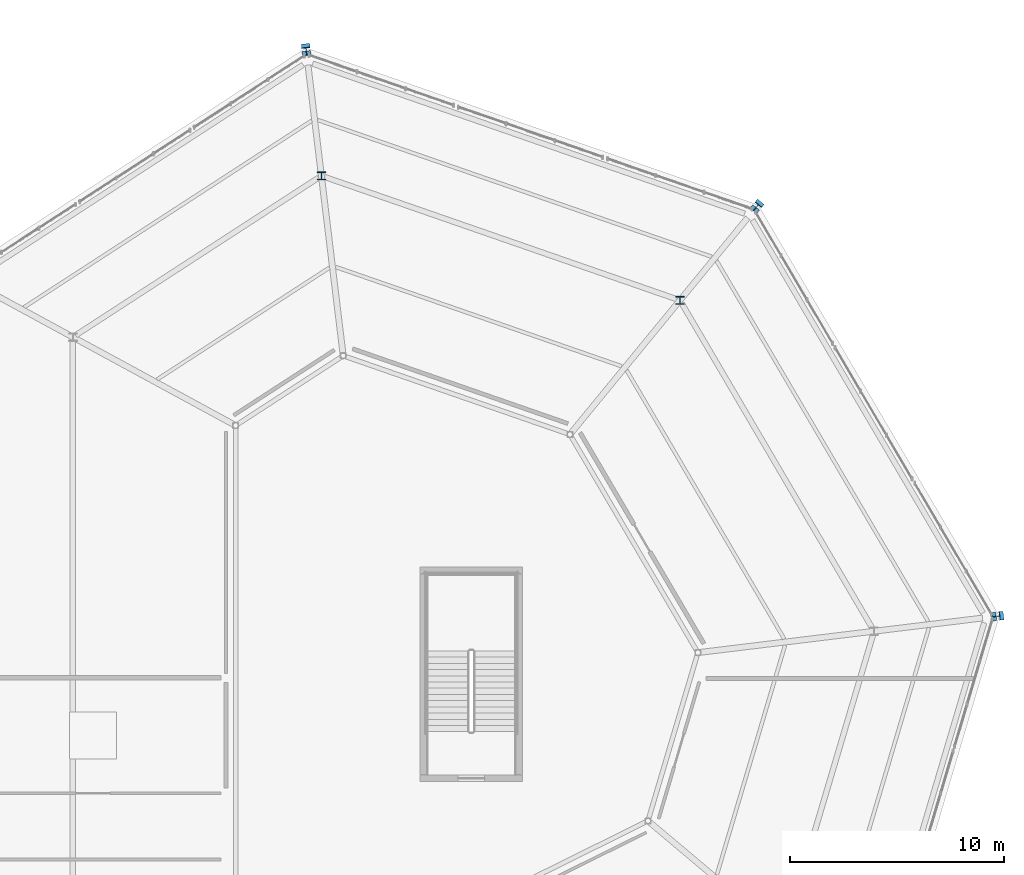
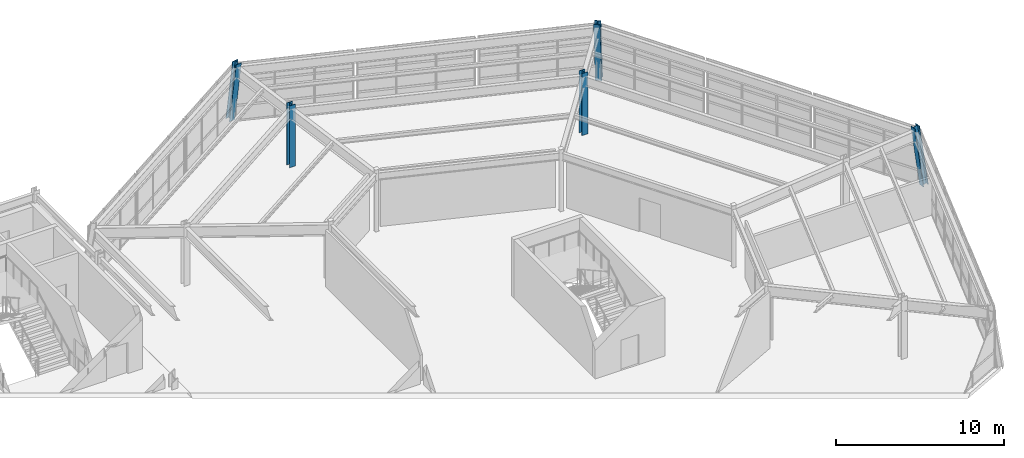
# One storey, part 15 of 88: 5 columns.
"""IFC4 building model written with IfcOpenShell, lengths in metres."""

import ifcopenshell
import ifcopenshell.guid

model = None  # the IFC model being written
_history = None  # IfcOwnerHistory: only IFC2X3 demands one
_inside = {}  # id of a spatial element -> (the spatial element, [elements in it])
_under = {}  # id of a project, library or spatial element -> (it, [spatial elements below it])
_declared = {}  # id of a project -> (the project, [libraries it declares])
_typed = {}  # id of a type object -> (the type object, [elements of that type])
_made_of = {}  # id of a material, layer set ... -> (it, [elements and type objects made of it])


def new_model(schema):
    """Start an empty IFC model of exactly this schema.

    Asked for "IFC4X3", IfcOpenShell would pick the latest addendum, in which some entities
    have other attributes; the version numbers below select the first issue.
    IFC2X3 requires an IfcOwnerHistory on every rooted entity: one is made here for all.
    """
    global model, _history
    if schema == "IFC4X3":
        model = ifcopenshell.file(schema_version=(4, 3, 0, 0))
    else:
        model = ifcopenshell.file(schema=schema)
    _inside.clear()
    _under.clear()
    _declared.clear()
    _typed.clear()
    _made_of.clear()
    _history = None
    if model.schema == "IFC2X3":
        org = make("IfcOrganization", Name="unknown")
        user = make(
            "IfcPersonAndOrganization",
            ThePerson=make("IfcPerson", FamilyName="unknown"),
            TheOrganization=org,
        )
        app = make(
            "IfcApplication",
            ApplicationDeveloper=org,
            Version="unknown",
            ApplicationFullName="unknown",
            ApplicationIdentifier="unknown",
        )
        _history = make(
            "IfcOwnerHistory",
            OwningUser=user,
            OwningApplication=app,
            ChangeAction="ADDED",
            CreationDate=0,
        )
    return model


def make(cls, **values):
    """One entity of the class cls with the attributes given. An attribute that is None is left unset."""
    return model.create_entity(
        cls, **{name: value for name, value in values.items() if value is not None}
    )


def rooted(cls, **values):
    """An entity with a GlobalId (a new one), such as an element, a storey or a relation."""
    return make(cls, GlobalId=ifcopenshell.guid.new(), OwnerHistory=_history, **values)


def si_unit(unit_type, name, prefix=None):
    """IfcSIUnit, for example si_unit("LENGTHUNIT", "METRE", prefix="MILLI")."""
    return make("IfcSIUnit", UnitType=unit_type, Prefix=prefix, Name=name)


def assignment(units):
    """IfcUnitAssignment: the units of a project."""
    return None if units is None else make("IfcUnitAssignment", Units=units)


def point(xyz):
    """IfcCartesianPoint."""
    return None if xyz is None else make("IfcCartesianPoint", Coordinates=xyz)


def direction(xyz):
    """IfcDirection."""
    return None if xyz is None else make("IfcDirection", DirectionRatios=xyz)


def frame(location, z_axis=None, x_axis=None):
    """IfcAxis2Placement3D, a coordinate frame: its origin and axes. An axis left out is left unset."""
    return make(
        "IfcAxis2Placement3D",
        Location=point(location),
        Axis=direction(z_axis),
        RefDirection=direction(x_axis),
    )


def frame_2d(location, x_axis=None):
    """IfcAxis2Placement2D, a coordinate frame in the plane: its origin and x axis."""
    return make(
        "IfcAxis2Placement2D", Location=point(location), RefDirection=direction(x_axis)
    )


def origin():
    """The frame at (0, 0, 0) with its axes left unset."""
    return frame((0.0, 0.0, 0.0))


def origin_2d():
    """The frame at (0, 0) in the plane with its x axis left unset."""
    return frame_2d((0.0, 0.0))


def place(relative_to, where):
    """IfcLocalPlacement: puts the frame where relative to a parent placement (None: the world)."""
    return make(
        "IfcLocalPlacement", PlacementRelTo=relative_to, RelativePlacement=where
    )


def context(
    kind, dimensions, precision=None, world=None, true_north=None, identifier=None
):
    """IfcGeometricRepresentationContext, for example the 3D "Model" context."""
    return make(
        "IfcGeometricRepresentationContext",
        ContextIdentifier=identifier,
        ContextType=kind,
        CoordinateSpaceDimension=dimensions,
        Precision=precision,
        WorldCoordinateSystem=world,
        TrueNorth=true_north,
    )


def subcontext(parent, identifier, kind, view, scale=None):
    """IfcGeometricRepresentationSubContext, for example "Body" below "Model"."""
    return make(
        "IfcGeometricRepresentationSubContext",
        ContextIdentifier=identifier,
        ContextType=kind,
        ParentContext=parent,
        TargetScale=scale,
        TargetView=view,
    )


def project(units=None, contexts=None):
    """IfcProject with its units and contexts."""
    return rooted(
        "IfcProject",
        Name="project",
        RepresentationContexts=contexts,
        UnitsInContext=assignment(units),
    )


def spatial(cls, under=None, at=None, **own):
    """A site, building, storey or space (cls), placed at a placement, below another one or the project."""
    s = rooted(cls, ObjectPlacement=at, **own)
    if under is not None:
        _under.setdefault(under.id(), (under, []))[1].append(s)
    return s


def profile(cls, at=None, kind="AREA", **sizes):
    """A parametric profile (cls). Its sizes go by their IFC names, for example OverallWidth=200.0."""
    return make(cls, ProfileType=kind, Position=at, **sizes)


def i_section(**sizes):
    """IfcIShapeProfileDef."""
    return profile("IfcIShapeProfileDef", **sizes)


def extrude(swept, where, along, depth):
    """IfcExtrudedAreaSolid: the profile swept, set in the frame where, extruded along a direction by depth."""
    return make(
        "IfcExtrudedAreaSolid",
        SweptArea=swept,
        Position=where,
        ExtrudedDirection=direction(along),
        Depth=depth,
    )


def shape(context_of_items, identifier, shape_type, items):
    """IfcShapeRepresentation: the items that make up one representation, for example the "Body"."""
    return make(
        "IfcShapeRepresentation",
        ContextOfItems=context_of_items,
        RepresentationIdentifier=identifier,
        RepresentationType=shape_type,
        Items=items,
    )


def material(Name=None, Category=None):
    """IfcMaterial."""
    return make("IfcMaterial", Name=Name, Category=Category)


def material_profile(
    of_material, cross_section, Name=None, Category=None, Priority=None
):
    """IfcMaterialProfile: a cross section and its material."""
    return make(
        "IfcMaterialProfile",
        Name=Name,
        Material=of_material,
        Profile=cross_section,
        Priority=Priority,
        Category=Category,
    )


def profile_set(profiles, Name=None, composite=None):
    """IfcMaterialProfileSet."""
    return make(
        "IfcMaterialProfileSet",
        Name=Name,
        MaterialProfiles=profiles,
        CompositeProfile=composite,
    )


def made_of(thing, what):
    """Note that an element or type object is made of a material, layer set ...; save() writes the relation."""
    if what is not None:
        _made_of.setdefault(what.id(), (what, []))[1].append(thing)
    return thing


def type_object(cls, material=None, **own):
    """A type object (cls), such as IfcWallType, which elements share."""
    return made_of(rooted(cls, **own), material)


def element(
    cls,
    number,
    at=None,
    inside=None,
    cuts=None,
    type_object=None,
    material=None,
    context=None,
    identifier="Body",
    shape_type=None,
    held_by="IfcProductDefinitionShape",
    body=None,
    shapes=None,
    **own,
):
    """One element of the class cls, such as IfcWall. Its Tag is "e" and its number.

    at: its placement. inside: the storey or other place that contains it. cuts: it is an
    opening in that element (IfcRelVoidsElement). A single representation is given by context,
    identifier, shape_type and body (its items); several are given by shapes. held_by: the class
    of the entity that holds the representations. save() writes the other relations.
    """
    e = rooted(cls, Tag="e%d" % number, ObjectPlacement=at, **own)
    if body is not None:
        shapes = [shape(context, identifier, shape_type, body)]
    if shapes is not None:
        e.Representation = make(held_by, Representations=shapes)
    if inside is not None:
        _inside.setdefault(inside.id(), (inside, []))[1].append(e)
    if cuts is not None:
        rooted(
            "IfcRelVoidsElement", RelatingBuildingElement=cuts, RelatedOpeningElement=e
        )
    if type_object is not None:
        _typed.setdefault(type_object.id(), (type_object, []))[1].append(e)
    return made_of(e, material)


def aggregate(whole, parts):
    """IfcRelAggregates: a whole, such as a stair, and the parts it consists of."""
    return rooted("IfcRelAggregates", RelatingObject=whole, RelatedObjects=parts)


def save(model, path):
    """Write the relations noted so far, then the file.

    IfcRelAggregates (storeys below a building ...), IfcRelContainedInSpatialStructure (elements
    in a storey), IfcRelDefinesByType, IfcRelAssociatesMaterial and IfcRelDeclares: one each for
    every whole, place, type object, material and project.
    """
    for whole, parts in _under.values():
        aggregate(whole, parts)
    for where, things in _inside.values():
        rooted(
            "IfcRelContainedInSpatialStructure",
            RelatedElements=things,
            RelatingStructure=where,
        )
    for kind, things in _typed.values():
        rooted("IfcRelDefinesByType", RelatedObjects=things, RelatingType=kind)
    for what, things in _made_of.values():
        rooted("IfcRelAssociatesMaterial", RelatedObjects=things, RelatingMaterial=what)
    for by, libraries in _declared.values():
        rooted("IfcRelDeclares", RelatingContext=by, RelatedDefinitions=libraries)
    model.write(path)


model = new_model("IFC4")

# Units and contexts
model_context = context("Model", 3, precision=1e-05, world=origin(), true_north=direction((0.0, 1.0)))
body_context = subcontext(model_context, "Body", "Model", "MODEL_VIEW")
ifc_project = project(units=[si_unit("LENGTHUNIT", "METRE"), si_unit("AREAUNIT", "SQUARE_METRE"), si_unit("VOLUMEUNIT", "CUBIC_METRE"), si_unit("PLANEANGLEUNIT", "RADIAN"), si_unit("MASSUNIT", "GRAM", prefix="KILO")], contexts=[model_context])

# Site, building, storey
site_placement = place(None, origin())
site = spatial("IfcSite", under=ifc_project, at=site_placement, CompositionType="ELEMENT")
building_placement = place(site_placement, origin())
building = spatial("IfcBuilding", under=site, at=building_placement, Name="Sarnbrook Museum", CompositionType="ELEMENT")
storey_placement = place(building_placement, frame((0.0, 0.0, 10.10009765625)))
storey = spatial("IfcBuildingStorey", under=building, at=storey_placement, Name="L02", CompositionType="ELEMENT", Elevation=10.10009765625)

# Columns
ifc_material = material(Name="Structural Steel Grade 350L0 (AS/NZS 3678, fy = 340 MPa for 20 < t <= 40 mm)", Category="steel")
ifc_material_profile = material_profile(ifc_material, i_section(OverallWidth=0.39990234375, OverallDepth=0.382080078125, WebThickness=0.02490234375, FlangeThickness=0.035888671875, at=origin_2d()), Name="400WC270")
ifc_profile_set = profile_set([ifc_material_profile], Name="Structural Steel Grade 350L0 (AS/NZS 3678, fy = 340 MPa for 20 < t <= 40 mm)")
column_type = type_object("IfcColumnType", Name="COL-WC400", PredefinedType="COLUMN", material=ifc_profile_set)
column_1_placement = place(storey_placement, frame((168.458984375, 87.922119140625, 0.0), z_axis=(-0.141077174184, -0.017184886083, 0.989849438356), x_axis=(0.120918155191, -0.992662480275, 0.0)))
element("IfcColumn", 1, at=column_1_placement, inside=storey, type_object=column_type, Name="Raking Crystal Rib Column V4 L02", PredefinedType="COLUMN", context=body_context, shape_type="SweptSolid", body=[
    extrude(i_section(OverallWidth=0.39990234375, OverallDepth=0.382080078125, WebThickness=0.02490234375, FlangeThickness=0.035888671875, at=origin_2d()), origin(), (0.0, 0.0, 1.0), 4.546142578125),
])
column_2_placement = place(storey_placement, frame((157.199462890625, 107.112060546875, 0.0), z_axis=(-0.088165746855, -0.107453682943, 0.990293142006), x_axis=(0.773078230677, -0.63431068827, 0.0)))
element("IfcColumn", 2, at=column_2_placement, inside=storey, type_object=column_type, Name="Raking Crystal Rib Column V5 L02", PredefinedType="COLUMN", context=body_context, shape_type="SweptSolid", body=[
    extrude(i_section(OverallWidth=0.39990234375, OverallDepth=0.382080078125, WebThickness=0.02490234375, FlangeThickness=0.035888671875, at=origin_2d()), origin(), (0.0, 0.0, 1.0), 4.544189453125),
])
column_3_placement = place(storey_placement, frame((153.543701171875, 102.656982421875, 0.0), z_axis=(0.0, 0.0, 1.0), x_axis=(1.0, 0.0, 0.0)))
element("IfcColumn", 3, at=column_3_placement, inside=storey, type_object=column_type, Name="Crystal Hall Ring Column R1-5 L02", PredefinedType="COLUMN", context=body_context, shape_type="SweptSolid", body=[
    extrude(i_section(OverallWidth=0.39990234375, OverallDepth=0.382080078125, WebThickness=0.02490234375, FlangeThickness=0.035888671875, at=origin_2d()), origin(), (0.0, 0.0, 1.0), 4.5),
])
column_4_placement = place(storey_placement, frame((136.079345703125, 114.4453125, 0.0), z_axis=(0.017445974662, -0.143969550907, 0.989428323013), x_axis=(0.99273780119, 0.120298204842, 0.0)))
element("IfcColumn", 4, at=column_4_placement, inside=storey, type_object=column_type, Name="Raking Crystal Rib Column V6 L02", PredefinedType="COLUMN", context=body_context, shape_type="SweptSolid", body=[
    extrude(i_section(OverallWidth=0.39990234375, OverallDepth=0.382080078125, WebThickness=0.02490234375, FlangeThickness=0.035888671875, at=origin_2d()), origin(), (0.0, 0.0, 1.0), 4.548095703125),
])
column_5_placement = place(storey_placement, frame((136.803955078125, 108.469482421875, 0.0), z_axis=(0.0, 0.0, 1.0), x_axis=(1.0, 0.0, 0.0)))
element("IfcColumn", 5, at=column_5_placement, inside=storey, type_object=column_type, Name="Crystal Hall Ring Column R1-6 L02", PredefinedType="COLUMN", context=body_context, shape_type="SweptSolid", body=[
    extrude(i_section(OverallWidth=0.39990234375, OverallDepth=0.382080078125, WebThickness=0.02490234375, FlangeThickness=0.035888671875, at=origin_2d()), origin(), (0.0, 0.0, 1.0), 4.5),
])

save(model, "model.ifc")
